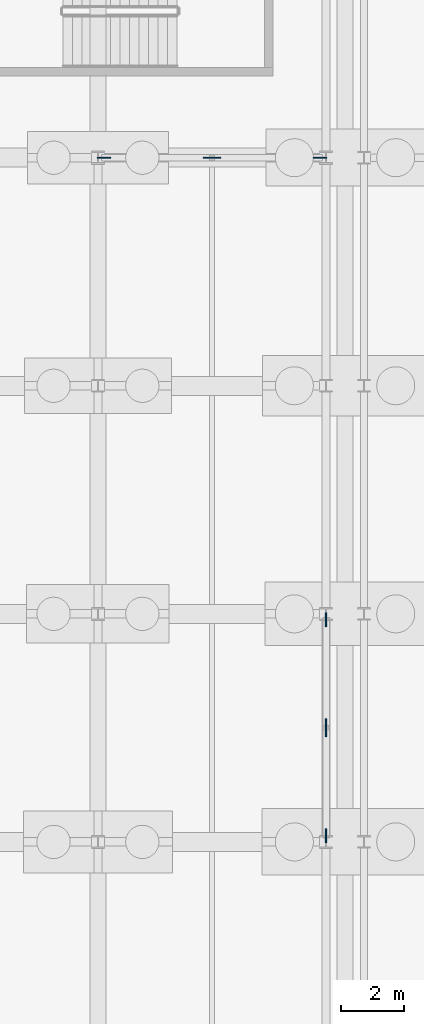
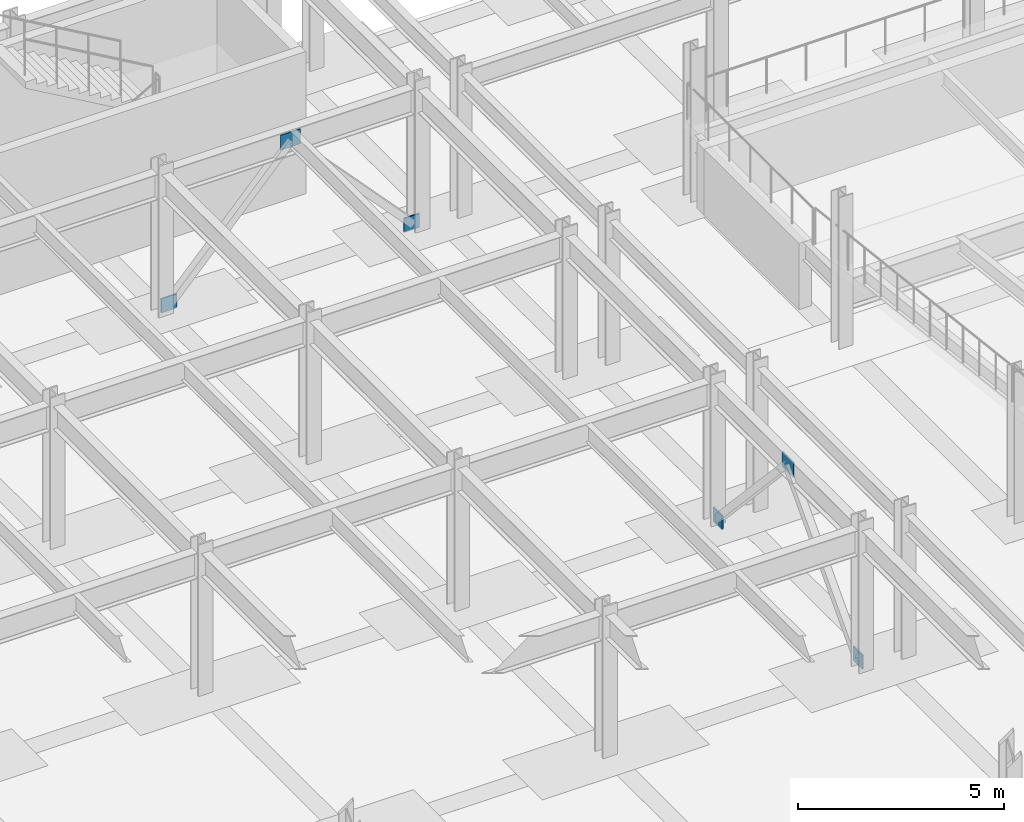
# One storey, part 39 of 54: 6 plates.
"""IFC4 building model written with IfcOpenShell, lengths in metres."""

from ifc_helpers import new_model, si_unit, direction, frame, origin, origin_2d, place, context, subcontext, project, spatial, rectangle, extrude, material, layer, layer_set, type_object, element, save


model = new_model("IFC4")

# Units and contexts
model_context = context("Model", 3, precision=1e-05, world=origin(), true_north=direction((0.0, 1.0)))
body_context = subcontext(model_context, "Body", "Model", "MODEL_VIEW")
ifc_project = project(units=[si_unit("LENGTHUNIT", "METRE"), si_unit("AREAUNIT", "SQUARE_METRE"), si_unit("VOLUMEUNIT", "CUBIC_METRE"), si_unit("PLANEANGLEUNIT", "RADIAN"), si_unit("MASSUNIT", "GRAM", prefix="KILO")], contexts=[model_context])

# Site, building, storey
site_placement = place(None, origin())
site = spatial("IfcSite", under=ifc_project, at=site_placement, CompositionType="ELEMENT")
building_placement = place(site_placement, origin())
building = spatial("IfcBuilding", under=site, at=building_placement, Name="Vaelcorin Mobility Hub", CompositionType="ELEMENT")
storey_placement = place(building_placement, frame((0.0, 0.0, -4.5)))
storey = spatial("IfcBuildingStorey", under=building, at=storey_placement, Name="B1", CompositionType="ELEMENT", Elevation=-4.5)

# Plates
ifc_material = material(Name="Steel ASTM A572 Grade 50", Category="steel")
ifc_layer = layer(ifc_material, 0.034912109375)
ifc_layer_set = layer_set([ifc_layer], Name="Steel ASTM A572 Grade 50")
plate_type = type_object("IfcPlateType", Name="PL-GN1", PredefinedType="USERDEFINED", material=ifc_layer_set)
for number, where, z_axis, x_axis, name in (
    (1, (115.389892578125, 112.800048828125, -0.030029296875), (0.0, 0.0, 1.0), (1.0, 0.0, 0.0), "SCBF Gusset Plate GN1 V4-BX2-B1-A"),
    (2, (122.2099609375, 112.800048828125, -0.030029296875), (0.0, 0.0, 1.0), (1.0, 0.0, 0.0), "SCBF Gusset Plate GN1 V4-BX2-B1-B"),
):
    element("IfcPlate", number, at=place(storey_placement, frame(where, z_axis=z_axis, x_axis=x_axis)), inside=storey, type_object=plate_type, Name=name, ObjectType="GUSSET PLATE", PredefinedType="USERDEFINED", context=body_context, shape_type="SweptSolid", body=[
        extrude(rectangle(XDim=0.43994140625, YDim=0.034912109375, at=origin_2d()), origin(), (0.0, 0.0, 1.0), 0.419921875),
    ])
plate_1_placement = place(storey_placement, frame((118.800048828125, 112.800048828125, 3.630126953125), z_axis=(0.0, 0.0, 1.0), x_axis=(1.0, 0.0, 0.0)))
element("IfcPlate", 3, at=plate_1_placement, inside=storey, type_object=plate_type, Name="SCBF Apex Gusset GN1 V4-BX2-B1", ObjectType="GUSSET PLATE", PredefinedType="USERDEFINED", context=body_context, shape_type="SweptSolid", body=[
    extrude(rectangle(XDim=0.56005859375, YDim=0.034912109375, at=origin_2d()), origin(), (0.0, 0.0, 1.0), 0.43994140625),
])
for number, where, z_axis, x_axis, name in (
    (4, (122.39990234375, 91.389892578125, -0.030029296875), (0.0, 0.0, 1.0), (0.0, 1.0, 0.0), "SCBF Gusset Plate GN1 V4-BY2-B1-A"),
    (5, (122.39990234375, 98.2099609375, -0.030029296875), (0.0, 0.0, 1.0), (0.0, 1.0, 0.0), "SCBF Gusset Plate GN1 V4-BY2-B1-B"),
):
    element("IfcPlate", number, at=place(storey_placement, frame(where, z_axis=z_axis, x_axis=x_axis)), inside=storey, type_object=plate_type, Name=name, ObjectType="GUSSET PLATE", PredefinedType="USERDEFINED", context=body_context, shape_type="SweptSolid", body=[
        extrude(rectangle(XDim=0.43994140625, YDim=0.034912109375, at=origin_2d()), origin(), (0.0, 0.0, 1.0), 0.419921875),
    ])
plate_2_placement = place(storey_placement, frame((122.39990234375, 94.800048828125, 3.630126953125), z_axis=(0.0, 0.0, 1.0), x_axis=(0.0, 1.0, 0.0)))
element("IfcPlate", 6, at=plate_2_placement, inside=storey, type_object=plate_type, Name="SCBF Apex Gusset GN1 V4-BY2-B1", ObjectType="GUSSET PLATE", PredefinedType="USERDEFINED", context=body_context, shape_type="SweptSolid", body=[
    extrude(rectangle(XDim=0.56005859375, YDim=0.034912109375, at=origin_2d()), origin(), (0.0, 0.0, 1.0), 0.43994140625),
])

save(model, "model.ifc")
